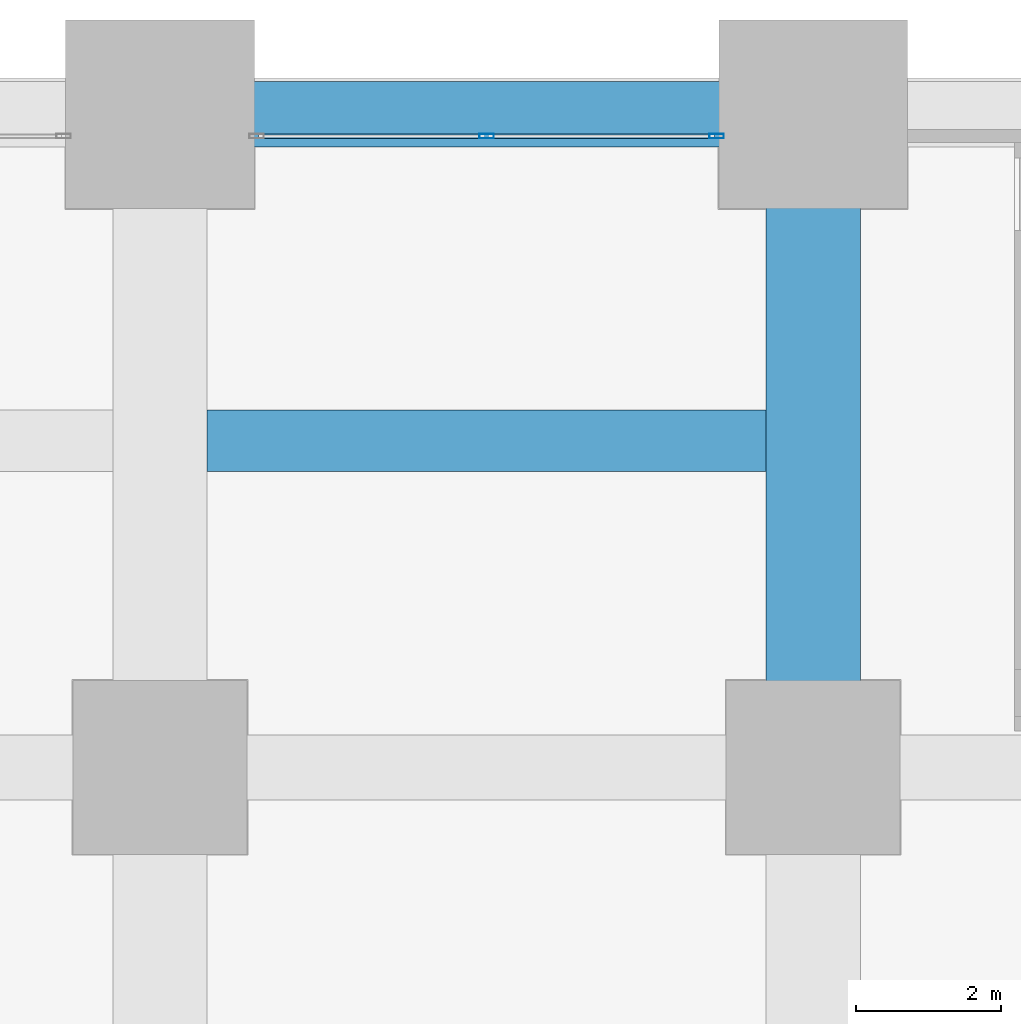
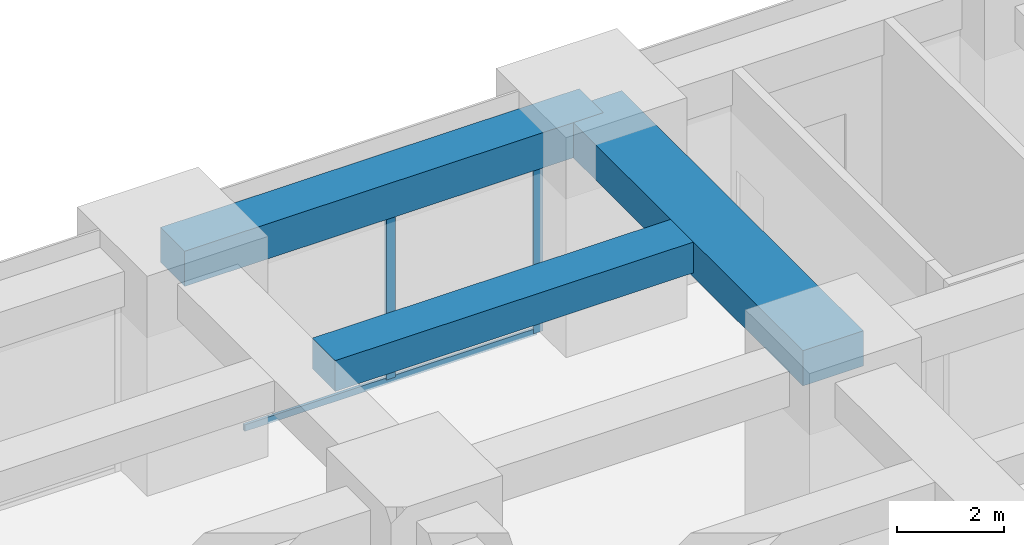
# One storey, part 29 of 46: 3 beams, 3 members, 1 element without a shape of its own.
"""IFC4 building model written with IfcOpenShell, lengths in metres."""

from ifc_helpers import new_model, si_unit, direction, frame, origin, origin_2d, place, context, subcontext, project, spatial, rectangle, hollow_rectangle, extrude, material, material_profile, profile_set, type_object, element, aggregate, save


model = new_model("IFC4")

# Units and contexts
model_context = context("Model", 3, precision=1e-05, world=origin(), true_north=direction((0.0, 1.0)))
body_context = subcontext(model_context, "Body", "Model", "MODEL_VIEW")
ifc_project = project(units=[si_unit("LENGTHUNIT", "METRE"), si_unit("AREAUNIT", "SQUARE_METRE"), si_unit("VOLUMEUNIT", "CUBIC_METRE"), si_unit("PLANEANGLEUNIT", "RADIAN"), si_unit("MASSUNIT", "GRAM", prefix="KILO")], contexts=[model_context])

# Site, building, storey
site_placement = place(None, origin())
site = spatial("IfcSite", under=ifc_project, at=site_placement, CompositionType="ELEMENT")
building_placement = place(site_placement, origin())
building = spatial("IfcBuilding", under=site, at=building_placement, Name="Zorevar Civic Tower", CompositionType="ELEMENT")
storey_placement = place(building_placement, frame((0.0, 0.0, 10.800048828125)))
storey = spatial("IfcBuildingStorey", under=building, at=storey_placement, Name="L02", CompositionType="ELEMENT", Elevation=10.800048828125)

# Beams
ifc_material_1 = material(Name="Concrete C50/60", Category="concrete")
ifc_material_profile_1 = material_profile(ifc_material_1, rectangle(XDim=1.300048828125, YDim=0.800048828125, at=origin_2d()), Name="RC 1300x800")
ifc_profile_set_1 = profile_set([ifc_material_profile_1], Name="Concrete C50/60")
beam_type_1 = type_object("IfcBeamType", Name="Beam RC 1300x800", PredefinedType="BEAM", material=ifc_profile_set_1)
beam_1_placement = place(storey_placement, frame((54.0, 45.0, 4.199951171875), z_axis=(0.0, 1.0, 0.0), x_axis=(-1.0, 0.0, 0.0)))
element("IfcBeam", 1, at=beam_1_placement, inside=storey, type_object=beam_type_1, Name="Girder L03", PredefinedType="BEAM", context=body_context, shape_type="SweptSolid", body=[
    extrude(rectangle(XDim=1.300048828125, YDim=0.800048828125, at=origin_2d()), origin(), (0.0, 0.0, 1.0), 9.0),
])
ifc_material_2 = material(Name="Concrete C50/60", Category="concrete")
ifc_material_profile_2 = material_profile(ifc_material_2, rectangle(XDim=0.85009765625, YDim=0.699951171875, at=origin_2d()), Name="RC 850x700")
ifc_profile_set_2 = profile_set([ifc_material_profile_2], Name="Concrete C50/60")
beam_type_2 = type_object("IfcBeamType", Name="Beam RC 850x700", PredefinedType="BEAM", material=ifc_profile_set_2)
beam_2_placement = place(storey_placement, frame((45.64990234375, 49.5, 4.25), z_axis=(1.0, 0.0, 0.0), x_axis=(0.0, 1.0, 0.0)))
element("IfcBeam", 2, at=beam_2_placement, inside=storey, type_object=beam_type_2, Name="Secondary beam L03", PredefinedType="BEAM", context=body_context, shape_type="SweptSolid", body=[
    extrude(rectangle(XDim=0.85009765625, YDim=0.699951171875, at=origin_2d()), origin(), (0.0, 0.0, 1.0), 7.7001953125),
])

# Curtain wall, members
ifc_material_3 = material(Name="Dark grey solar-control glass in black aluminium frame", Category="aluminium")
curtain_wall_type = type_object("IfcCurtainWallType", Name="Curtain wall CW1 podium", PredefinedType="NOTDEFINED", material=ifc_material_3)
curtain_wall_placement = place(storey_placement, origin())
curtain_wall = element("IfcCurtainWall", 3, at=curtain_wall_placement, inside=storey, type_object=curtain_wall_type, Name="CW1 L02", PredefinedType="NOTDEFINED")
ifc_material_4 = material(Name="Aluminium, black anodised", Category="aluminium")
ifc_material_profile_3 = material_profile(ifc_material_4, hollow_rectangle(XDim=0.06005859375, YDim=0.199951171875, WallThickness=0.00390625, at=origin_2d()), Name="AL 200x60x4")
ifc_profile_set_3 = profile_set([ifc_material_profile_3], Name="Aluminium, black anodised")
member_type_1 = type_object("IfcMemberType", Name="CW1 mullion AL 200x60x4", PredefinedType="MULLION", material=ifc_profile_set_3)
member_1_placement = place(storey_placement, frame((49.5, 53.699951171875, 0.06005859375), z_axis=(0.0, 0.0, 1.0), x_axis=(0.0, 1.0, 0.0)))
member_1 = element("IfcMember", 4, at=member_1_placement, type_object=member_type_1, Name="CW1 mullion 2", PredefinedType="MULLION", context=body_context, shape_type="SweptSolid", body=[
    extrude(hollow_rectangle(XDim=0.06005859375, YDim=0.199951171875, WallThickness=0.00390625, at=origin_2d()), origin(), (0.0, 0.0, 1.0), 3.739990234375),
])
member_2_placement = place(storey_placement, frame((52.669921875, 53.699951171875, 0.0), z_axis=(0.0, 0.0, 1.0), x_axis=(0.0, 1.0, 0.0)))
member_2 = element("IfcMember", 5, at=member_2_placement, type_object=member_type_1, Name="CW1 mullion 3", PredefinedType="MULLION", context=body_context, shape_type="SweptSolid", body=[
    extrude(hollow_rectangle(XDim=0.06005859375, YDim=0.199951171875, WallThickness=0.00390625, at=origin_2d()), origin(), (0.0, 0.0, 1.0), 3.800048828125),
])
ifc_material_5 = material(Name="Aluminium, black anodised", Category="aluminium")
ifc_material_profile_4 = material_profile(ifc_material_5, hollow_rectangle(XDim=0.06005859375, YDim=0.14990234375, WallThickness=0.00390625, at=origin_2d()), Name="AL 150x60x4")
ifc_profile_set_4 = profile_set([ifc_material_profile_4], Name="Aluminium, black anodised")
member_type_2 = type_object("IfcMemberType", Name="CW1 transom AL 150x60x4", PredefinedType="USERDEFINED", material=ifc_profile_set_4)
member_3_placement = place(storey_placement, frame((46.360107421875, 53.699951171875, 0.030029296875), z_axis=(1.0, 0.0, 0.0), x_axis=(0.0, 1.0, 0.0)))
member_3 = element("IfcMember", 6, at=member_3_placement, type_object=member_type_2, Name="CW1 sill transom", ObjectType="TRANSOM", PredefinedType="USERDEFINED", context=body_context, shape_type="SweptSolid", body=[
    extrude(hollow_rectangle(XDim=0.06005859375, YDim=0.14990234375, WallThickness=0.00390625, at=origin_2d()), origin(), (0.0, 0.0, 1.0), 6.27978515625),
])
aggregate(curtain_wall, [member_1, member_2, member_3])

# Beam
ifc_material_6 = material(Name="Concrete C50/60", Category="concrete")
ifc_material_profile_5 = material_profile(ifc_material_6, rectangle(XDim=0.89990234375, YDim=0.800048828125, at=origin_2d()), Name="RC 900x800")
ifc_profile_set_5 = profile_set([ifc_material_profile_5], Name="Concrete C50/60")
beam_type_3 = type_object("IfcBeamType", Name="Edge beam RC 900x800", PredefinedType="SPANDREL", material=ifc_profile_set_5)
beam_3_placement = place(storey_placement, frame((45.0, 54.0, 4.199951171875), z_axis=(1.0, 0.0, 0.0), x_axis=(0.0, 1.0, 0.0)))
element("IfcBeam", 7, at=beam_3_placement, inside=storey, type_object=beam_type_3, Name="Edge beam L03", PredefinedType="SPANDREL", context=body_context, shape_type="SweptSolid", body=[
    extrude(rectangle(XDim=0.89990234375, YDim=0.800048828125, at=origin_2d()), origin(), (0.0, 0.0, 1.0), 9.0),
])

save(model, "model.ifc")
